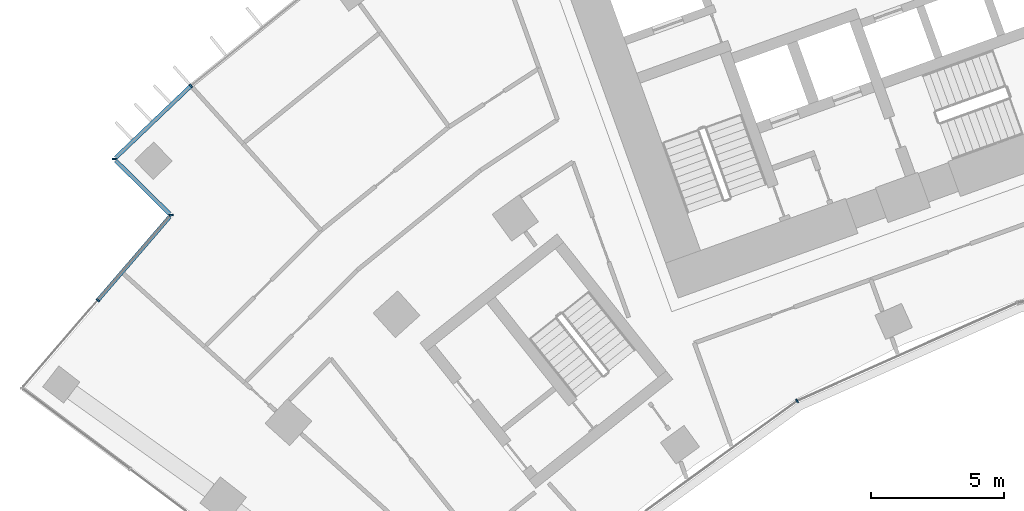
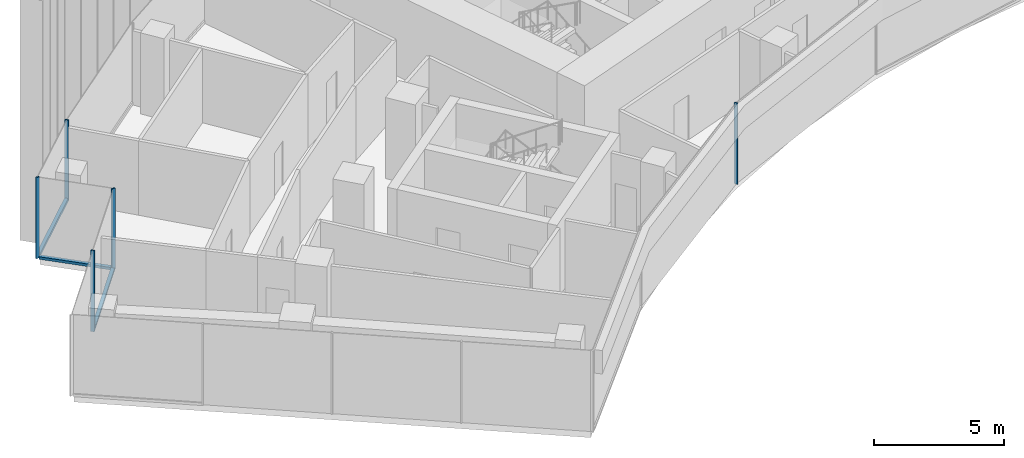
# One storey, part 3 of 23: 8 members, 4 elements without a shape of their own.
"""IFC4 building model written with IfcOpenShell, lengths in metres."""

from ifc_helpers import new_model, si_unit, direction, frame, origin, origin_2d, place, context, subcontext, project, spatial, rectangle, extrude, material, layer, layer_set, material_profile, profile_set, type_object, element, aggregate, save


model = new_model("IFC4")

# Units and contexts
model_context = context("Model", 3, precision=1e-05, world=origin(), true_north=direction((0.0, 1.0)))
body_context = subcontext(model_context, "Body", "Model", "MODEL_VIEW")
ifc_project = project(units=[si_unit("LENGTHUNIT", "METRE"), si_unit("AREAUNIT", "SQUARE_METRE"), si_unit("VOLUMEUNIT", "CUBIC_METRE"), si_unit("PLANEANGLEUNIT", "RADIAN"), si_unit("MASSUNIT", "GRAM", prefix="KILO")], contexts=[model_context])

# Site, building, storey
site_placement = place(None, origin())
site = spatial("IfcSite", under=ifc_project, at=site_placement, CompositionType="ELEMENT")
building_placement = place(site_placement, origin())
building = spatial("IfcBuilding", under=site, at=building_placement, Name="Stone Belt Terrace Tower", CompositionType="ELEMENT")
storey_placement = place(building_placement, frame((0.0, 0.0, 144.0)))
storey = spatial("IfcBuildingStorey", under=building, at=storey_placement, Name="L34", CompositionType="ELEMENT", Elevation=144.0)

# Curtain wall, members
ifc_material = material(Name="Aluminium 6063-T6 anodised frame", Category="aluminium")
ifc_layer_1 = layer(ifc_material, 0.14990234375)
ifc_layer_set_1 = layer_set([ifc_layer_1], Name="CW-A unitised convex-face curtain wall")
curtain_wall_type_1 = type_object("IfcCurtainWallType", Name="CW-A unitised convex-face curtain wall", PredefinedType="NOTDEFINED", material=ifc_layer_set_1)
curtain_wall_1_placement = place(storey_placement, origin())
curtain_wall_1 = element("IfcCurtainWall", 1, at=curtain_wall_1_placement, inside=storey, type_object=curtain_wall_type_1, Name="CW-A convex face L34", PredefinedType="NOTDEFINED")
ifc_material_profile_1 = material_profile(ifc_material, rectangle(XDim=0.14990234375, YDim=0.06005859375, at=origin_2d()), Name="Aluminium 6063-T6 60x150")
ifc_profile_set_1 = profile_set([ifc_material_profile_1], Name="Aluminium 6063-T6 anodised frame")
member_type_1 = type_object("IfcMemberType", Name="CW-A mullion 60 x 150", PredefinedType="MULLION", material=ifc_profile_set_1)
member_1_placement = place(storey_placement, frame((-44.546875, 49.4755859375, 0.0), z_axis=(0.0, 0.0, 1.0), x_axis=(0.660573481499, -0.75076139721, 0.0)))
member_1 = element("IfcMember", 2, at=member_1_placement, type_object=member_type_1, Name="CW-A mullion 16", PredefinedType="MULLION", context=body_context, shape_type="SweptSolid", body=[
    extrude(rectangle(XDim=0.14990234375, YDim=0.06005859375, at=origin_2d()), origin(), (0.0, 0.0, 1.0), 3.800048828125),
])
ifc_material_profile_2 = material_profile(ifc_material, rectangle(XDim=0.14990234375, YDim=0.139892578125, at=origin_2d()), Name="Aluminium 6063-T6 150x140")
ifc_profile_set_2 = profile_set([ifc_material_profile_2], Name="Aluminium 6063-T6 anodised frame")
member_type_2 = type_object("IfcMemberType", Name="CW-A transom 140 x 150", PredefinedType="USERDEFINED", material=ifc_profile_set_2)
member_2_placement = place(storey_placement, frame((-44.570556640625, 49.45263671875, 0.070068359375), z_axis=(-0.723150258233, -0.690690744124, 0.0), x_axis=(0.690690744124, -0.723150258233, 0.0)))
member_2 = element("IfcMember", 3, at=member_2_placement, type_object=member_type_2, Name="CW-A transom 16.1", ObjectType="TRANSOM", PredefinedType="USERDEFINED", context=body_context, shape_type="SweptSolid", body=[
    extrude(rectangle(XDim=0.14990234375, YDim=0.139892578125, at=origin_2d()), origin(), (0.0, 0.0, 1.0), 3.888671875),
])
aggregate(curtain_wall_1, [member_1, member_2])

# Curtain wall, member
ifc_layer_2 = layer(ifc_material, 0.14990234375)
ifc_layer_set_2 = layer_set([ifc_layer_2], Name="CW-B unitised concave-face curtain wall")
curtain_wall_type_2 = type_object("IfcCurtainWallType", Name="CW-B unitised concave-face curtain wall", PredefinedType="NOTDEFINED", material=ifc_layer_set_2)
curtain_wall_2_placement = place(storey_placement, origin())
curtain_wall_2 = element("IfcCurtainWall", 4, at=curtain_wall_2_placement, inside=storey, type_object=curtain_wall_type_2, Name="CW-B concave face L34", PredefinedType="NOTDEFINED")
ifc_material_profile_3 = material_profile(ifc_material, rectangle(XDim=0.14990234375, YDim=0.050048828125, at=origin_2d()), Name="Aluminium 6063-T6 50x150")
ifc_profile_set_3 = profile_set([ifc_material_profile_3], Name="Aluminium 6063-T6 anodised frame")
member_type_3 = type_object("IfcMemberType", Name="CW-B mullion 50 x 150", PredefinedType="MULLION", material=ifc_profile_set_3)
member_3_placement = place(storey_placement, frame((-21.71240234375, 37.606689453125, 0.0), z_axis=(0.0, 0.0, 1.0), x_axis=(-0.5, 0.866025403784, 0.0)))
member_3 = element("IfcMember", 5, at=member_3_placement, type_object=member_type_3, Name="CW-B mullion 3", PredefinedType="MULLION", context=body_context, shape_type="SweptSolid", body=[
    extrude(rectangle(XDim=0.14990234375, YDim=0.050048828125, at=origin_2d()), origin(), (0.0, 0.0, 1.0), 3.800048828125),
])
aggregate(curtain_wall_2, [member_3])

ifc_layer_3 = layer(ifc_material, 0.14990234375)
ifc_layer_set_3 = layer_set([ifc_layer_3], Name="CW-C stick curtain wall, horn ends and notches")
curtain_wall_type_3 = type_object("IfcCurtainWallType", Name="CW-C stick curtain wall, horn ends and notches", PredefinedType="NOTDEFINED", material=ifc_layer_set_3)
curtain_wall_3_placement = place(storey_placement, origin())
curtain_wall_3 = element("IfcCurtainWall", 6, at=curtain_wall_3_placement, inside=storey, type_object=curtain_wall_type_3, Name="CW-C notch face L34", PredefinedType="NOTDEFINED")
ifc_material_profile_4 = material_profile(ifc_material, rectangle(XDim=0.14990234375, YDim=0.06005859375, at=origin_2d()), Name="Aluminium 6063-T6 60x150")
ifc_profile_set_4 = profile_set([ifc_material_profile_4], Name="Aluminium 6063-T6 anodised frame")
member_type_4 = type_object("IfcMemberType", Name="CW-C mullion 60 x 150", PredefinedType="MULLION", material=ifc_profile_set_4)
member_4_placement = place(storey_placement, frame((-47.4365234375, 46.715087890625, 0.0), z_axis=(0.0, 0.0, 1.0), x_axis=(0.999966480105, -0.008187714406, 0.0)))
member_4 = element("IfcMember", 7, at=member_4_placement, type_object=member_type_4, Name="CW-C mullion 1", PredefinedType="MULLION", context=body_context, shape_type="SweptSolid", body=[
    extrude(rectangle(XDim=0.14990234375, YDim=0.06005859375, at=origin_2d()), origin(), (0.0, 0.0, 1.0), 3.800048828125),
])

# Curtain wall, members
curtain_wall_4_placement = place(storey_placement, origin())
curtain_wall_4 = element("IfcCurtainWall", 8, at=curtain_wall_4_placement, inside=storey, type_object=curtain_wall_type_3, Name="CW-C notch face L34", PredefinedType="NOTDEFINED")
member_5_placement = place(storey_placement, frame((-45.29638671875, 44.602783203125, 0.0), z_axis=(0.0, 0.0, 1.0), x_axis=(0.999185209744, 0.040359839301, 0.0)))
member_5 = element("IfcMember", 9, at=member_5_placement, type_object=member_type_4, Name="CW-C mullion 1", PredefinedType="MULLION", context=body_context, shape_type="SweptSolid", body=[
    extrude(rectangle(XDim=0.14990234375, YDim=0.06005859375, at=origin_2d()), origin(), (0.0, 0.0, 1.0), 3.800048828125),
])
member_6_placement = place(storey_placement, frame((-48.05322265625, 41.40283203125, 0.0), z_axis=(0.0, 0.0, 1.0), x_axis=(0.757583847343, -0.652737860281, 0.0)))
member_6 = element("IfcMember", 10, at=member_6_placement, type_object=member_type_4, Name="CW-C mullion 2", PredefinedType="MULLION", context=body_context, shape_type="SweptSolid", body=[
    extrude(rectangle(XDim=0.14990234375, YDim=0.06005859375, at=origin_2d()), origin(), (0.0, 0.0, 1.0), 3.800048828125),
])

# Member
ifc_material_profile_5 = material_profile(ifc_material, rectangle(XDim=0.14990234375, YDim=0.1201171875, at=origin_2d()), Name="Aluminium 6063-T6 150x120")
ifc_profile_set_5 = profile_set([ifc_material_profile_5], Name="Aluminium 6063-T6 anodised frame")
member_type_5 = type_object("IfcMemberType", Name="CW-C transom 120 x 150", PredefinedType="USERDEFINED", material=ifc_profile_set_5)
member_7_placement = place(storey_placement, frame((-47.383544921875, 46.66259765625, 0.06005859375), z_axis=(0.711744791626, -0.702438147877, 0.0), x_axis=(0.702438147877, 0.711744791626, 0.0)))
member_7 = element("IfcMember", 11, at=member_7_placement, type_object=member_type_5, Name="CW-C transom 1.1", ObjectType="TRANSOM", PredefinedType="USERDEFINED", context=body_context, shape_type="SweptSolid", body=[
    extrude(rectangle(XDim=0.14990234375, YDim=0.1201171875, at=origin_2d()), origin(), (0.0, 0.0, 1.0), 2.859375),
])

aggregate(curtain_wall_3, [member_4, member_7])

member_8_placement = place(storey_placement, frame((-45.343994140625, 44.54736328125, 0.06005859375), z_axis=(-0.652755588772, -0.757568572029, 0.0), x_axis=(0.757568572029, -0.652755588772, 0.0)))
member_8 = element("IfcMember", 12, at=member_8_placement, type_object=member_type_5, Name="CW-C transom 1.1", ObjectType="TRANSOM", PredefinedType="USERDEFINED", context=body_context, shape_type="SweptSolid", body=[
    extrude(rectangle(XDim=0.14990234375, YDim=0.1201171875, at=origin_2d()), origin(), (0.0, 0.0, 1.0), 4.12060546875),
])

aggregate(curtain_wall_4, [member_5, member_6, member_8])

save(model, "model.ifc")
